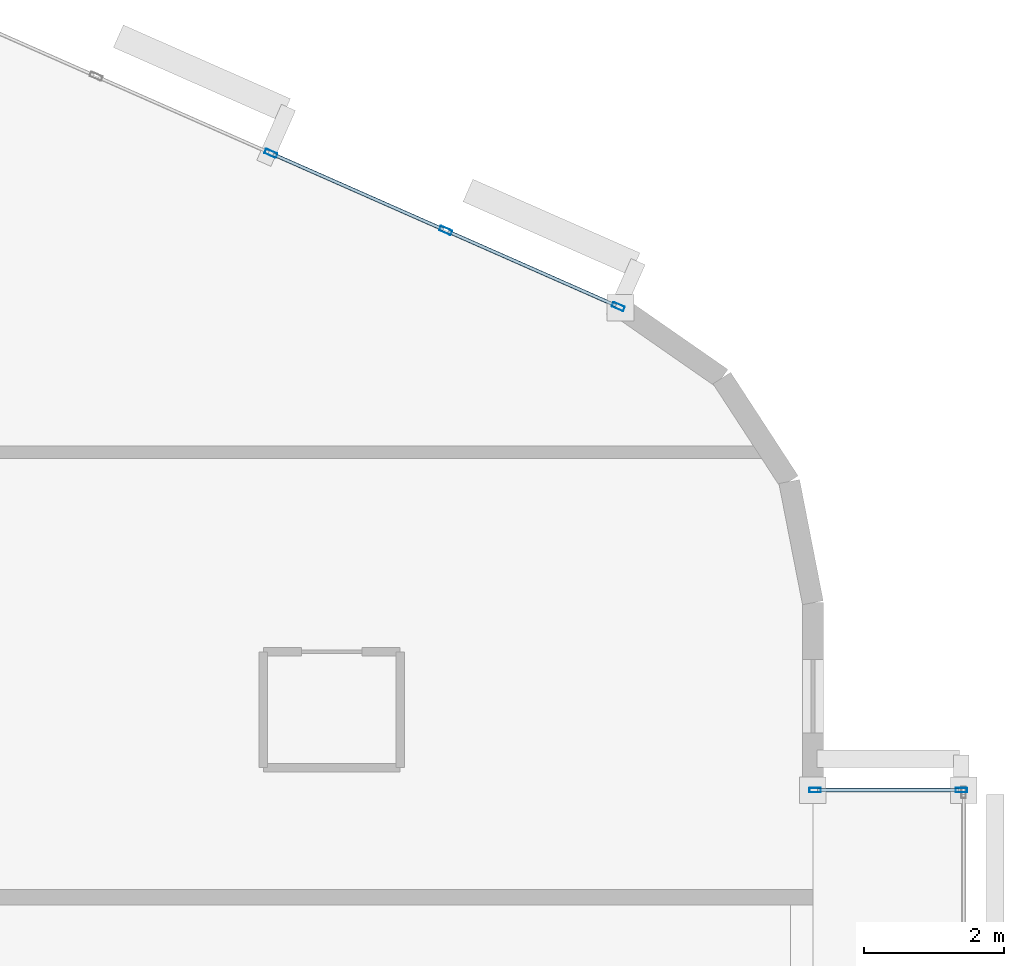
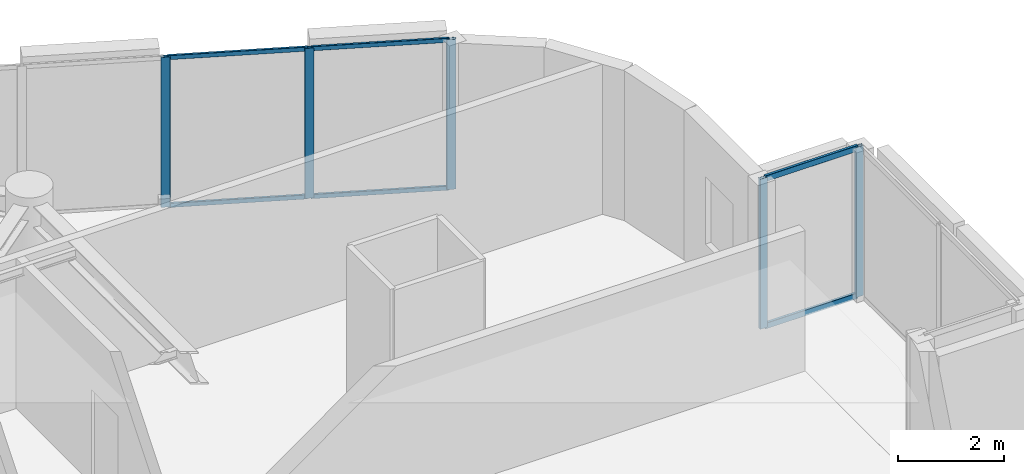
# One storey, part 7 of 13: 11 members, 2 elements without a shape of their own.
"""IFC4 building model written with IfcOpenShell, lengths in metres."""

from ifc_helpers import new_model, si_unit, direction, frame, origin, origin_2d, place, context, subcontext, project, spatial, hollow_rectangle, extrude, material, layer, layer_set, material_profile, profile_set, type_object, element, aggregate, save


model = new_model("IFC4")

# Units and contexts
model_context = context("Model", 3, precision=1e-05, world=origin(), true_north=direction((0.0, 1.0)))
body_context = subcontext(model_context, "Body", "Model", "MODEL_VIEW")
ifc_project = project(units=[si_unit("LENGTHUNIT", "METRE"), si_unit("AREAUNIT", "SQUARE_METRE"), si_unit("VOLUMEUNIT", "CUBIC_METRE"), si_unit("PLANEANGLEUNIT", "RADIAN"), si_unit("MASSUNIT", "GRAM", prefix="KILO")], contexts=[model_context])

# Site, building, storey
site_placement = place(None, origin())
site = spatial("IfcSite", under=ifc_project, at=site_placement, CompositionType="ELEMENT")
building_placement = place(site_placement, origin())
building = spatial("IfcBuilding", under=site, at=building_placement, Name="An Khanh Terracotta Commons", CompositionType="ELEMENT")
storey_placement = place(building_placement, frame((0.0, 0.0, 288.0)))
storey = spatial("IfcBuildingStorey", under=building, at=storey_placement, Name="L75", CompositionType="ELEMENT", Elevation=288.0)

# Curtain wall, members
ifc_material = material(Name="Anodised Aluminium 6063-T6", Category="aluminium")
ifc_layer_1 = layer(ifc_material, 0.239990234375, Name="Anodised Aluminium 6063-T6")
ifc_layer_set_1 = layer_set([ifc_layer_1], Name="Anodised Aluminium 6063-T6")
curtain_wall_type_1 = type_object("IfcCurtainWallType", Name="CW-SYS-04", PredefinedType="USERDEFINED", material=ifc_layer_set_1)
curtain_wall_1_placement = place(storey_placement, origin())
curtain_wall_1 = element("IfcCurtainWall", 1, at=curtain_wall_1_placement, inside=storey, type_object=curtain_wall_type_1, Name="L75 CW-04 Unitised Curtain Wall CW-L75-EBOX-3", ObjectType="UNITISED CURTAIN WALL", PredefinedType="USERDEFINED")
ifc_material_profile_1 = material_profile(ifc_material, hollow_rectangle(XDim=0.06494140625, YDim=0.1650390625, WallThickness=0.00390625, InnerFilletRadius=0.00390625, OuterFilletRadius=0.008056640625, at=origin_2d()), Name="RHS165x65x4")
ifc_profile_set_1 = profile_set([ifc_material_profile_1], Name="Anodised Aluminium 6063-T6")
member_type_1 = type_object("IfcMemberType", Name="CWM-RHS165x65x4", PredefinedType="MULLION", material=ifc_profile_set_1)
member_1_placement = place(storey_placement, frame((77.717529296875, 25.530029296875, 0.0), z_axis=(0.0, 0.0, 1.0), x_axis=(0.0, -1.0, 0.0)))
member_1 = element("IfcMember", 2, at=member_1_placement, type_object=member_type_1, Name="CW-04 mullion 1", PredefinedType="MULLION", context=body_context, shape_type="SweptSolid", body=[
    extrude(hollow_rectangle(XDim=0.06494140625, YDim=0.1650390625, WallThickness=0.00390625, InnerFilletRadius=0.00390625, OuterFilletRadius=0.008056640625, at=origin_2d()), origin(), (0.0, 0.0, 1.0), 3.449951171875),
])
member_2_placement = place(storey_placement, frame((75.632568359375, 25.530029296875, 0.0), z_axis=(0.0, 0.0, 1.0), x_axis=(0.0, -1.0, 0.0)))
member_2 = element("IfcMember", 3, at=member_2_placement, type_object=member_type_1, Name="CW-04 mullion 2", PredefinedType="MULLION", context=body_context, shape_type="SweptSolid", body=[
    extrude(hollow_rectangle(XDim=0.06494140625, YDim=0.1650390625, WallThickness=0.00390625, InnerFilletRadius=0.00390625, OuterFilletRadius=0.008056640625, at=origin_2d()), origin(), (0.0, 0.0, 1.0), 3.449951171875),
])

ifc_layer_2 = layer(ifc_material, 0.2099609375, Name="Anodised Aluminium 6063-T6")
ifc_layer_set_2 = layer_set([ifc_layer_2], Name="Anodised Aluminium 6063-T6")
curtain_wall_type_2 = type_object("IfcCurtainWallType", Name="CW-SYS-03", PredefinedType="USERDEFINED", material=ifc_layer_set_2)
curtain_wall_2_placement = place(storey_placement, origin())
curtain_wall_2 = element("IfcCurtainWall", 4, at=curtain_wall_2_placement, inside=storey, type_object=curtain_wall_type_2, Name="L75 CW-03 Unitised Curtain Wall CW-L75-16", ObjectType="UNITISED CURTAIN WALL", PredefinedType="USERDEFINED")
ifc_material_profile_2 = material_profile(ifc_material, hollow_rectangle(XDim=0.070068359375, YDim=0.179931640625, WallThickness=0.00390625, InnerFilletRadius=0.00390625, OuterFilletRadius=0.008056640625, at=origin_2d()), Name="RHS180x70x4")
ifc_profile_set_2 = profile_set([ifc_material_profile_2], Name="Anodised Aluminium 6063-T6")
member_type_2 = type_object("IfcMemberType", Name="CWM-RHS180x70x4", PredefinedType="MULLION", material=ifc_profile_set_2)
member_3_placement = place(storey_placement, frame((72.824951171875, 32.424072265625, 0.0), z_axis=(0.0, 0.0, 1.0), x_axis=(-0.403676354285, -0.914901853201, 0.0)))
member_3 = element("IfcMember", 5, at=member_3_placement, type_object=member_type_2, Name="CW-03 mullion 1", PredefinedType="MULLION", context=body_context, shape_type="SweptSolid", body=[
    extrude(hollow_rectangle(XDim=0.070068359375, YDim=0.179931640625, WallThickness=0.00390625, InnerFilletRadius=0.00390625, OuterFilletRadius=0.008056640625, at=origin_2d()), origin(), (0.0, 0.0, 1.0), 3.449951171875),
])
member_4_placement = place(storey_placement, frame((70.364501953125, 33.509765625, 0.0), z_axis=(0.0, 0.0, 1.0), x_axis=(-0.403676354285, -0.914901853201, 0.0)))
member_4 = element("IfcMember", 6, at=member_4_placement, type_object=member_type_2, Name="CW-03 mullion 2", PredefinedType="MULLION", context=body_context, shape_type="SweptSolid", body=[
    extrude(hollow_rectangle(XDim=0.070068359375, YDim=0.179931640625, WallThickness=0.00390625, InnerFilletRadius=0.00390625, OuterFilletRadius=0.008056640625, at=origin_2d()), origin(), (0.0, 0.0, 1.0), 3.449951171875),
])
member_5_placement = place(storey_placement, frame((67.8720703125, 34.609619140625, 0.0), z_axis=(0.0, 0.0, 1.0), x_axis=(-0.403676354285, -0.914901853201, 0.0)))
member_5 = element("IfcMember", 7, at=member_5_placement, type_object=member_type_2, Name="CW-03 mullion 3", PredefinedType="MULLION", context=body_context, shape_type="SweptSolid", body=[
    extrude(hollow_rectangle(XDim=0.070068359375, YDim=0.179931640625, WallThickness=0.00390625, InnerFilletRadius=0.00390625, OuterFilletRadius=0.008056640625, at=origin_2d()), origin(), (0.0, 0.0, 1.0), 3.449951171875),
])
ifc_material_profile_3 = material_profile(ifc_material, hollow_rectangle(XDim=0.050048828125, YDim=0.10009765625, WallThickness=0.003173828125, InnerFilletRadius=0.003173828125, OuterFilletRadius=0.00634765625, at=origin_2d()), Name="RHS100x50x3.2")
ifc_profile_set_3 = profile_set([ifc_material_profile_3], Name="Anodised Aluminium 6063-T6")
member_type_3 = type_object("IfcMemberType", Name="CWT-RHS100x50x3.2", PredefinedType="USERDEFINED", material=ifc_profile_set_3)
member_6_placement = place(storey_placement, frame((72.79296875, 32.438232421875, 0.02490234375), z_axis=(-0.914903627858, 0.403672332137, 0.0), x_axis=(-0.403672332137, -0.914903627858, 0.0)))
member_6 = element("IfcMember", 8, at=member_6_placement, type_object=member_type_3, Name="CW-03 transom 1.1", ObjectType="TRANSOM", PredefinedType="USERDEFINED", context=body_context, shape_type="SweptSolid", body=[
    extrude(hollow_rectangle(XDim=0.050048828125, YDim=0.10009765625, WallThickness=0.003173828125, InnerFilletRadius=0.003173828125, OuterFilletRadius=0.00634765625, at=origin_2d()), origin(), (0.0, 0.0, 1.0), 2.619384765625),
])
member_7_placement = place(storey_placement, frame((72.79296875, 32.438232421875, 3.425048828125), z_axis=(-0.914903627858, 0.403672332137, 0.0), x_axis=(-0.403672332137, -0.914903627858, 0.0)))
member_7 = element("IfcMember", 9, at=member_7_placement, type_object=member_type_3, Name="CW-03 transom 1.2", ObjectType="TRANSOM", PredefinedType="USERDEFINED", context=body_context, shape_type="SweptSolid", body=[
    extrude(hollow_rectangle(XDim=0.050048828125, YDim=0.10009765625, WallThickness=0.003173828125, InnerFilletRadius=0.003173828125, OuterFilletRadius=0.00634765625, at=origin_2d()), origin(), (0.0, 0.0, 1.0), 2.619384765625),
])
member_8_placement = place(storey_placement, frame((70.33251953125, 33.52392578125, 0.02490234375), z_axis=(-0.914896820753, 0.403687759755, 0.0), x_axis=(-0.403687759755, -0.914896820753, 0.0)))
member_8 = element("IfcMember", 10, at=member_8_placement, type_object=member_type_3, Name="CW-03 transom 2.1", ObjectType="TRANSOM", PredefinedType="USERDEFINED", context=body_context, shape_type="SweptSolid", body=[
    extrude(hollow_rectangle(XDim=0.050048828125, YDim=0.10009765625, WallThickness=0.003173828125, InnerFilletRadius=0.003173828125, OuterFilletRadius=0.00634765625, at=origin_2d()), origin(), (0.0, 0.0, 1.0), 2.654296875),
])
member_9_placement = place(storey_placement, frame((70.33251953125, 33.52392578125, 3.425048828125), z_axis=(-0.914896820753, 0.403687759755, 0.0), x_axis=(-0.403687759755, -0.914896820753, 0.0)))
member_9 = element("IfcMember", 11, at=member_9_placement, type_object=member_type_3, Name="CW-03 transom 2.2", ObjectType="TRANSOM", PredefinedType="USERDEFINED", context=body_context, shape_type="SweptSolid", body=[
    extrude(hollow_rectangle(XDim=0.050048828125, YDim=0.10009765625, WallThickness=0.003173828125, InnerFilletRadius=0.003173828125, OuterFilletRadius=0.00634765625, at=origin_2d()), origin(), (0.0, 0.0, 1.0), 2.654296875),
])
aggregate(curtain_wall_2, [member_3, member_4, member_5, member_6, member_7, member_8, member_9])

# Member
ifc_material_profile_4 = material_profile(ifc_material, hollow_rectangle(XDim=0.06005859375, YDim=0.135009765625, WallThickness=0.003662109375, InnerFilletRadius=0.003662109375, OuterFilletRadius=0.007080078125, at=origin_2d()), Name="RHS135x60x3.6")
ifc_profile_set_4 = profile_set([ifc_material_profile_4], Name="Anodised Aluminium 6063-T6")
member_type_4 = type_object("IfcMemberType", Name="CWT-RHS135x60x3.6", PredefinedType="USERDEFINED", material=ifc_profile_set_4)
member_10_placement = place(storey_placement, frame((77.68505859375, 25.530029296875, 0.030029296875), z_axis=(-1.0, 0.0, 0.0), x_axis=(0.0, -1.0, 0.0)))
member_10 = element("IfcMember", 12, at=member_10_placement, type_object=member_type_4, Name="CW-04 transom 1.1", ObjectType="TRANSOM", PredefinedType="USERDEFINED", context=body_context, shape_type="SweptSolid", body=[
    extrude(hollow_rectangle(XDim=0.06005859375, YDim=0.135009765625, WallThickness=0.003662109375, InnerFilletRadius=0.003662109375, OuterFilletRadius=0.007080078125, at=origin_2d()), origin(), (0.0, 0.0, 1.0), 2.02001953125),
])

member_11_placement = place(storey_placement, frame((77.68505859375, 25.530029296875, 3.419921875), z_axis=(-1.0, 0.0, 0.0), x_axis=(0.0, -1.0, 0.0)))
member_11 = element("IfcMember", 13, at=member_11_placement, type_object=member_type_4, Name="CW-04 transom 1.2", ObjectType="TRANSOM", PredefinedType="USERDEFINED", context=body_context, shape_type="SweptSolid", body=[
    extrude(hollow_rectangle(XDim=0.06005859375, YDim=0.135009765625, WallThickness=0.003662109375, InnerFilletRadius=0.003662109375, OuterFilletRadius=0.007080078125, at=origin_2d()), origin(), (0.0, 0.0, 1.0), 2.02001953125),
])

aggregate(curtain_wall_1, [member_1, member_2, member_10, member_11])

save(model, "model.ifc")
